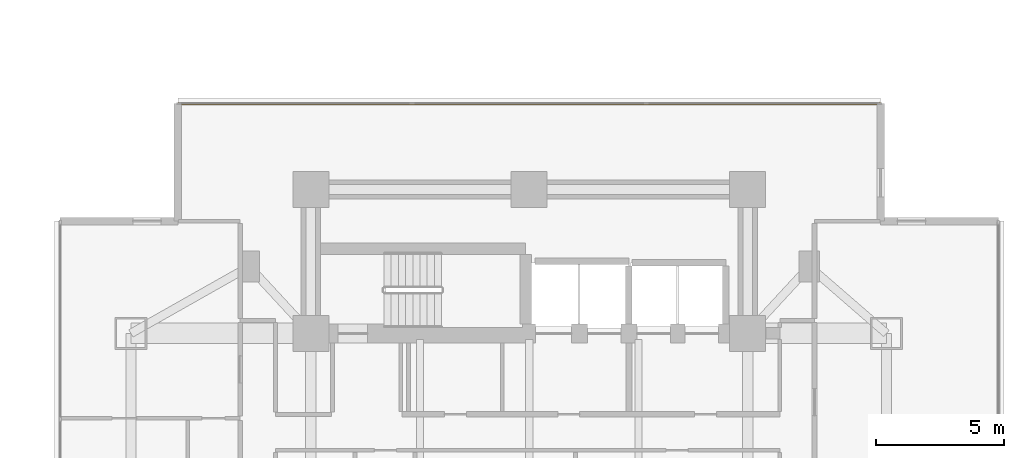
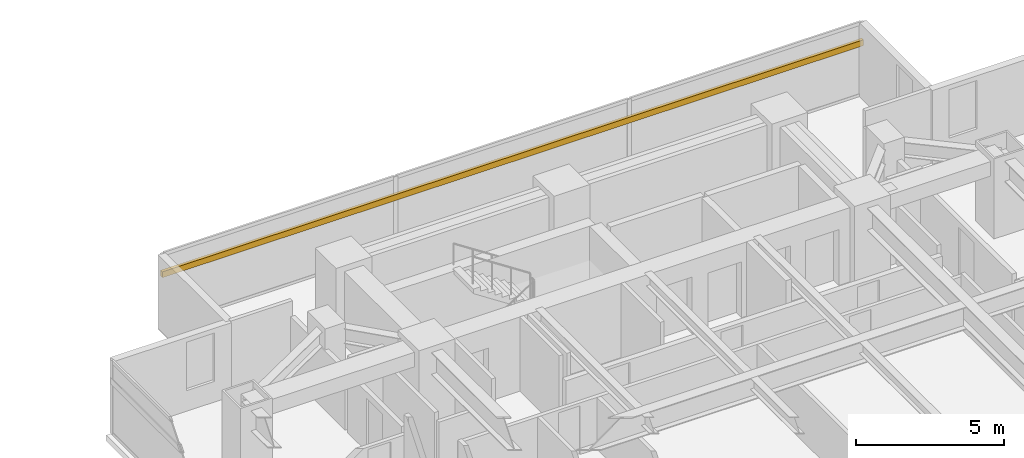
# One storey, part 23 of 23: 1 shading device.
"""IFC4 building model written with IfcOpenShell, lengths in metres."""

from ifc_helpers import new_model, si_unit, direction, frame, origin, origin_2d, place, context, subcontext, project, spatial, rectangle, extrude, material, material_profile, profile_set, type_object, element, save


model = new_model("IFC4")

# Units and contexts
model_context = context("Model", 3, precision=1e-05, world=origin(), true_north=direction((0.0, 1.0)))
body_context = subcontext(model_context, "Body", "Model", "MODEL_VIEW")
ifc_project = project(units=[si_unit("LENGTHUNIT", "METRE"), si_unit("AREAUNIT", "SQUARE_METRE"), si_unit("VOLUMEUNIT", "CUBIC_METRE"), si_unit("PLANEANGLEUNIT", "RADIAN"), si_unit("MASSUNIT", "GRAM", prefix="KILO")], contexts=[model_context])

# Site, building, storey
site_placement = place(None, origin())
site = spatial("IfcSite", under=ifc_project, at=site_placement, CompositionType="ELEMENT")
building_placement = place(site_placement, origin())
building = spatial("IfcBuilding", under=site, at=building_placement, Name="Mirazonda Arch Towers", CompositionType="ELEMENT")
storey_placement = place(building_placement, frame((0.0, 0.0, 29.0)))
storey = spatial("IfcBuildingStorey", under=building, at=storey_placement, Name="L07", CompositionType="ELEMENT", Elevation=29.0)

# Shading device
ifc_material = material(Name="Kiln-Fired Architectural Terracotta", Category="masonry")
ifc_material_profile = material_profile(ifc_material, rectangle(XDim=0.1201171875, YDim=0.239990234375, at=origin_2d()), Name="TERRA-BAG-120x240")
ifc_profile_set = profile_set([ifc_material_profile], Name="Kiln-Fired Architectural Terracotta")
shading_device_type = type_object("IfcShadingDeviceType", Name="BAGUETTE-1", PredefinedType="USERDEFINED", material=ifc_profile_set)
shading_device_placement = place(storey_placement, frame((62.823974609375, 44.146484375, 2.188720703125), z_axis=(1.0, 0.0, 0.0), x_axis=(0.0, 1.0, 0.0)))
element("IfcShadingDevice", 1, at=shading_device_placement, inside=storey, type_object=shading_device_type, Name="L07 Glazed Terracotta Sun-Screen Baguette CW-L07-T2-N", ObjectType="BAGUETTE", PredefinedType="USERDEFINED", context=body_context, shape_type="SweptSolid", body=[
    extrude(rectangle(XDim=0.1201171875, YDim=0.239990234375, at=origin_2d()), origin(), (0.0, 0.0, 1.0), 27.35205078125),
])

save(model, "model.ifc")
